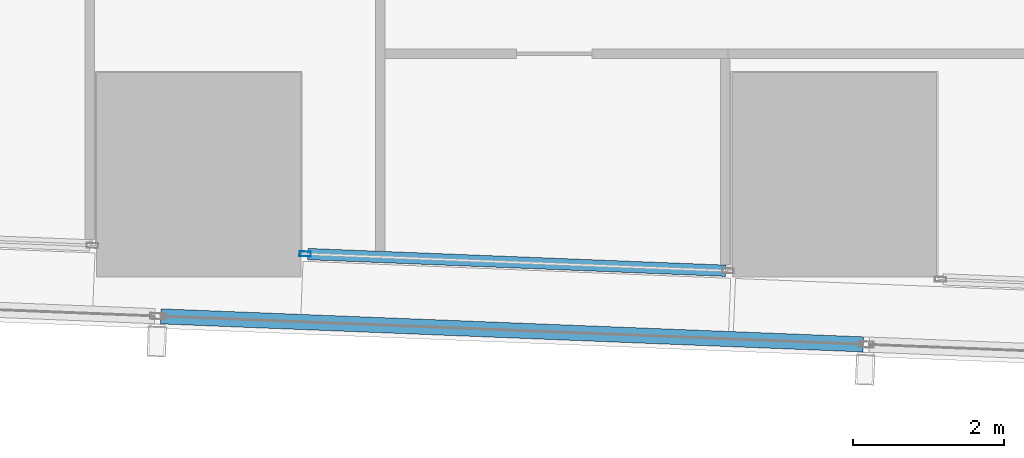
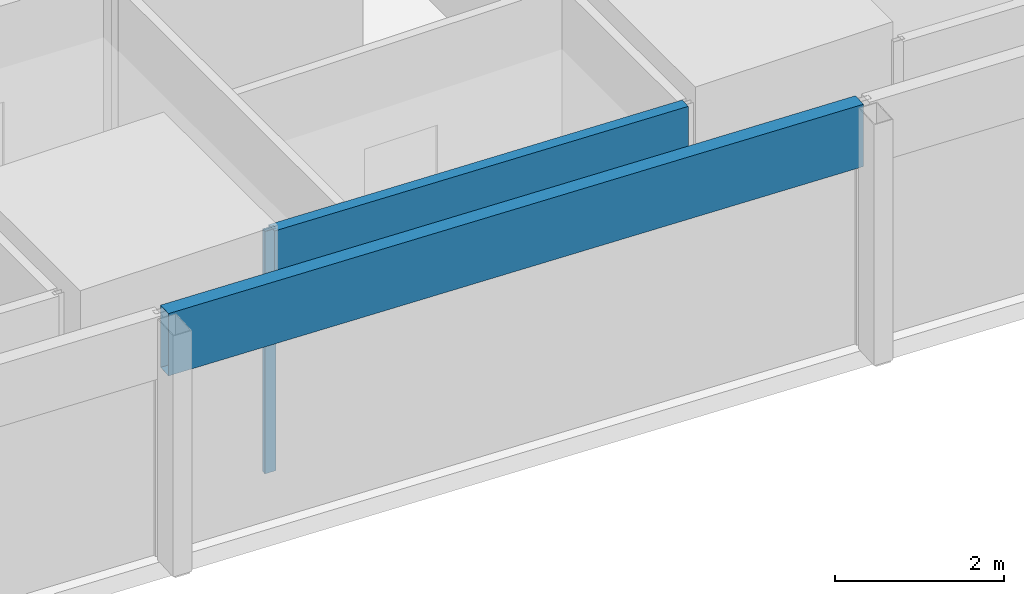
# One storey, part 3 of 36: 3 members, 2 elements without a shape of their own.
"""IFC4 building model written with IfcOpenShell, lengths in metres."""

from ifc_helpers import new_model, si_unit, direction, frame, origin, origin_2d, place, context, subcontext, project, spatial, hollow_rectangle, extrude, material, material_profile, profile_set, type_object, element, aggregate, save


model = new_model("IFC4")

# Units and contexts
model_context = context("Model", 3, precision=1e-05, world=origin(), true_north=direction((0.0, 1.0)))
body_context = subcontext(model_context, "Body", "Model", "MODEL_VIEW")
ifc_project = project(units=[si_unit("LENGTHUNIT", "METRE"), si_unit("AREAUNIT", "SQUARE_METRE"), si_unit("VOLUMEUNIT", "CUBIC_METRE"), si_unit("PLANEANGLEUNIT", "RADIAN"), si_unit("MASSUNIT", "GRAM", prefix="KILO")], contexts=[model_context])

# Site, building, storey
site_placement = place(None, origin())
site = spatial("IfcSite", under=ifc_project, at=site_placement, CompositionType="ELEMENT")
building_placement = place(site_placement, origin())
building = spatial("IfcBuilding", under=site, at=building_placement, Name="Rekha Terrace Tower", CompositionType="ELEMENT")
storey_placement = place(building_placement, frame((0.0, 0.0, 172.699951171875)))
storey = spatial("IfcBuildingStorey", under=building, at=storey_placement, Name="L43", CompositionType="ELEMENT", Elevation=172.699951171875)

# Curtain wall, members
ifc_material_1 = material(Name="Aluminium framing", Category="aluminium")
curtain_wall_type_1 = type_object("IfcCurtainWallType", Name="CW1 double skin inner glazing", PredefinedType="USERDEFINED", material=ifc_material_1)
curtain_wall_1_placement = place(storey_placement, origin())
curtain_wall_1 = element("IfcCurtainWall", 1, at=curtain_wall_1_placement, inside=storey, type_object=curtain_wall_type_1, Name="CW1 double skin inner glazing", ObjectType="DOUBLE SKIN INNER GLAZING", PredefinedType="USERDEFINED")
ifc_material_2 = material(Name="Aluminium mullion section", Category="aluminium")
ifc_material_profile_1 = material_profile(ifc_material_2, hollow_rectangle(XDim=0.06494140625, YDim=0.14990234375, WallThickness=0.00390625, at=origin_2d()), Name="AL RHS 65x150")
ifc_profile_set_1 = profile_set([ifc_material_profile_1], Name="Aluminium mullion section")
member_type_1 = type_object("IfcMemberType", Name="CW1 mullion RHS 65 x 150", PredefinedType="MULLION", material=ifc_profile_set_1)
member_1_placement = place(storey_placement, frame((18.206298828125, 15.753662109375, 0.0), z_axis=(0.0, 0.0, 1.0), x_axis=(0.039872497078, 0.999204775798, 0.0)))
member_1 = element("IfcMember", 2, at=member_1_placement, type_object=member_type_1, Name="CW1 mullion 1", PredefinedType="MULLION", context=body_context, shape_type="SweptSolid", body=[
    extrude(hollow_rectangle(XDim=0.06494140625, YDim=0.14990234375, WallThickness=0.00390625, at=origin_2d()), origin(), (0.0, 0.0, 1.0), 3.5),
])
ifc_material_3 = material(Name="Insulated aluminium spandrel box", Category="aluminium")
ifc_material_profile_2 = material_profile(ifc_material_3, hollow_rectangle(XDim=0.14990234375, YDim=0.89990234375, WallThickness=0.0029296875, at=origin_2d()), Name="AL SPANDREL BOX 150x900")
ifc_profile_set_2 = profile_set([ifc_material_profile_2], Name="Insulated aluminium spandrel box")
member_type_2 = type_object("IfcMemberType", Name="CW1 spandrel transom 150 x 900", PredefinedType="USERDEFINED", material=ifc_profile_set_2)
member_2_placement = place(storey_placement, frame((18.23876953125, 15.75244140625, 3.050048828125), z_axis=(0.999204130978, -0.039888652974, 0.0), x_axis=(0.039888652974, 0.999204130978, 0.0)))
member_2 = element("IfcMember", 3, at=member_2_placement, type_object=member_type_2, Name="CW1 spandrel transom 1", ObjectType="TRANSOM", PredefinedType="USERDEFINED", context=body_context, shape_type="SweptSolid", body=[
    extrude(hollow_rectangle(XDim=0.14990234375, YDim=0.89990234375, WallThickness=0.0029296875, at=origin_2d()), origin(), (0.0, 0.0, 1.0), 5.52685546875),
])
aggregate(curtain_wall_1, [member_1, member_2])

# Curtain wall, member
curtain_wall_type_2 = type_object("IfcCurtainWallType", Name="CW2 double skin outer glazing", PredefinedType="USERDEFINED", material=ifc_material_1)
curtain_wall_2_placement = place(storey_placement, origin())
curtain_wall_2 = element("IfcCurtainWall", 4, at=curtain_wall_2_placement, inside=storey, type_object=curtain_wall_type_2, Name="CW2 double skin outer glazing", ObjectType="DOUBLE SKIN OUTER GLAZING", PredefinedType="USERDEFINED")
ifc_material_profile_3 = material_profile(ifc_material_3, hollow_rectangle(XDim=0.199951171875, YDim=0.89990234375, WallThickness=0.0029296875, at=origin_2d()), Name="AL SPANDREL BOX 200x900")
ifc_profile_set_3 = profile_set([ifc_material_profile_3], Name="Insulated aluminium spandrel box")
member_type_3 = type_object("IfcMemberType", Name="CW2 spandrel transom 200 x 900", PredefinedType="USERDEFINED", material=ifc_profile_set_3)
member_3_placement = place(storey_placement, frame((16.2998046875, 14.928955078125, 3.050048828125), z_axis=(0.999205404308, -0.039856743486, 0.0), x_axis=(0.039856743486, 0.999205404308, 0.0)))
member_3 = element("IfcMember", 5, at=member_3_placement, type_object=member_type_3, Name="CW2 spandrel transom 2", ObjectType="TRANSOM", PredefinedType="USERDEFINED", context=body_context, shape_type="SweptSolid", body=[
    extrude(hollow_rectangle(XDim=0.199951171875, YDim=0.89990234375, WallThickness=0.0029296875, at=origin_2d()), origin(), (0.0, 0.0, 1.0), 9.2861328125),
])
aggregate(curtain_wall_2, [member_3])

save(model, "model.ifc")
